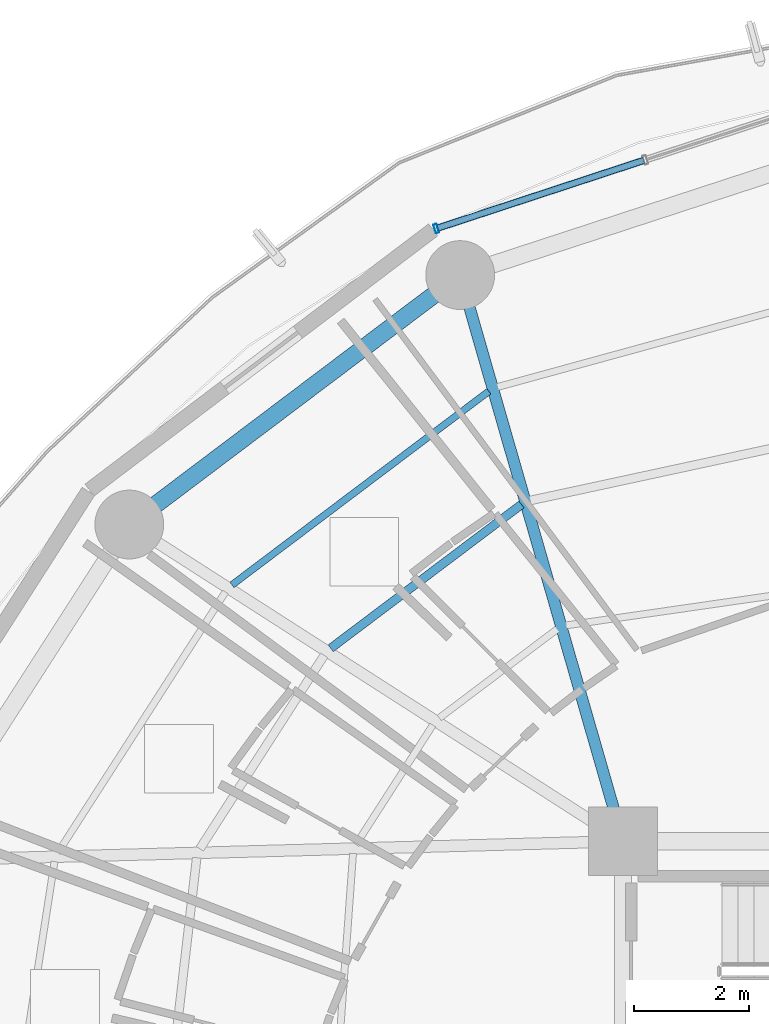
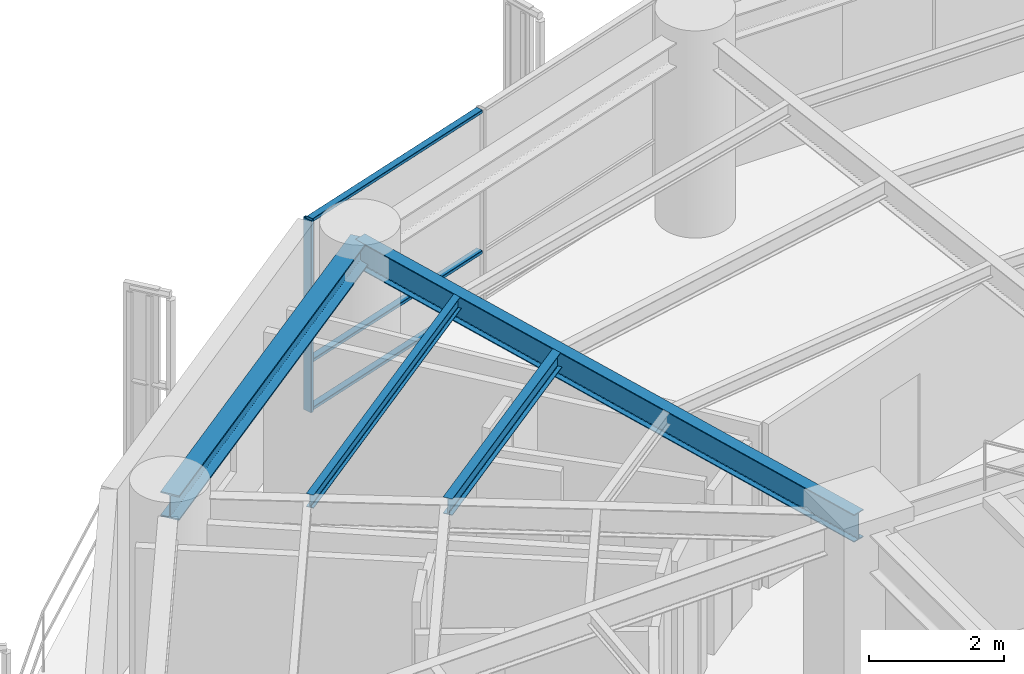
# One storey, part 16 of 27: 4 beams, 4 members, 1 element without a shape of its own.
"""IFC4 building model written with IfcOpenShell, lengths in metres."""

import ifcopenshell
import ifcopenshell.guid

model = None  # the IFC model being written
_history = None  # IfcOwnerHistory: only IFC2X3 demands one
_inside = {}  # id of a spatial element -> (the spatial element, [elements in it])
_under = {}  # id of a project, library or spatial element -> (it, [spatial elements below it])
_declared = {}  # id of a project -> (the project, [libraries it declares])
_typed = {}  # id of a type object -> (the type object, [elements of that type])
_made_of = {}  # id of a material, layer set ... -> (it, [elements and type objects made of it])


def new_model(schema):
    """Start an empty IFC model of exactly this schema.

    Asked for "IFC4X3", IfcOpenShell would pick the latest addendum, in which some entities
    have other attributes; the version numbers below select the first issue.
    IFC2X3 requires an IfcOwnerHistory on every rooted entity: one is made here for all.
    """
    global model, _history
    if schema == "IFC4X3":
        model = ifcopenshell.file(schema_version=(4, 3, 0, 0))
    else:
        model = ifcopenshell.file(schema=schema)
    _inside.clear()
    _under.clear()
    _declared.clear()
    _typed.clear()
    _made_of.clear()
    _history = None
    if model.schema == "IFC2X3":
        org = make("IfcOrganization", Name="unknown")
        user = make(
            "IfcPersonAndOrganization",
            ThePerson=make("IfcPerson", FamilyName="unknown"),
            TheOrganization=org,
        )
        app = make(
            "IfcApplication",
            ApplicationDeveloper=org,
            Version="unknown",
            ApplicationFullName="unknown",
            ApplicationIdentifier="unknown",
        )
        _history = make(
            "IfcOwnerHistory",
            OwningUser=user,
            OwningApplication=app,
            ChangeAction="ADDED",
            CreationDate=0,
        )
    return model


def make(cls, **values):
    """One entity of the class cls with the attributes given. An attribute that is None is left unset."""
    return model.create_entity(
        cls, **{name: value for name, value in values.items() if value is not None}
    )


def rooted(cls, **values):
    """An entity with a GlobalId (a new one), such as an element, a storey or a relation."""
    return make(cls, GlobalId=ifcopenshell.guid.new(), OwnerHistory=_history, **values)


def si_unit(unit_type, name, prefix=None):
    """IfcSIUnit, for example si_unit("LENGTHUNIT", "METRE", prefix="MILLI")."""
    return make("IfcSIUnit", UnitType=unit_type, Prefix=prefix, Name=name)


def assignment(units):
    """IfcUnitAssignment: the units of a project."""
    return None if units is None else make("IfcUnitAssignment", Units=units)


def point(xyz):
    """IfcCartesianPoint."""
    return None if xyz is None else make("IfcCartesianPoint", Coordinates=xyz)


def direction(xyz):
    """IfcDirection."""
    return None if xyz is None else make("IfcDirection", DirectionRatios=xyz)


def frame(location, z_axis=None, x_axis=None):
    """IfcAxis2Placement3D, a coordinate frame: its origin and axes. An axis left out is left unset."""
    return make(
        "IfcAxis2Placement3D",
        Location=point(location),
        Axis=direction(z_axis),
        RefDirection=direction(x_axis),
    )


def frame_2d(location, x_axis=None):
    """IfcAxis2Placement2D, a coordinate frame in the plane: its origin and x axis."""
    return make(
        "IfcAxis2Placement2D", Location=point(location), RefDirection=direction(x_axis)
    )


def origin():
    """The frame at (0, 0, 0) with its axes left unset."""
    return frame((0.0, 0.0, 0.0))


def origin_2d():
    """The frame at (0, 0) in the plane with its x axis left unset."""
    return frame_2d((0.0, 0.0))


def place(relative_to, where):
    """IfcLocalPlacement: puts the frame where relative to a parent placement (None: the world)."""
    return make(
        "IfcLocalPlacement", PlacementRelTo=relative_to, RelativePlacement=where
    )


def context(
    kind, dimensions, precision=None, world=None, true_north=None, identifier=None
):
    """IfcGeometricRepresentationContext, for example the 3D "Model" context."""
    return make(
        "IfcGeometricRepresentationContext",
        ContextIdentifier=identifier,
        ContextType=kind,
        CoordinateSpaceDimension=dimensions,
        Precision=precision,
        WorldCoordinateSystem=world,
        TrueNorth=true_north,
    )


def subcontext(parent, identifier, kind, view, scale=None):
    """IfcGeometricRepresentationSubContext, for example "Body" below "Model"."""
    return make(
        "IfcGeometricRepresentationSubContext",
        ContextIdentifier=identifier,
        ContextType=kind,
        ParentContext=parent,
        TargetScale=scale,
        TargetView=view,
    )


def project(units=None, contexts=None):
    """IfcProject with its units and contexts."""
    return rooted(
        "IfcProject",
        Name="project",
        RepresentationContexts=contexts,
        UnitsInContext=assignment(units),
    )


def spatial(cls, under=None, at=None, **own):
    """A site, building, storey or space (cls), placed at a placement, below another one or the project."""
    s = rooted(cls, ObjectPlacement=at, **own)
    if under is not None:
        _under.setdefault(under.id(), (under, []))[1].append(s)
    return s


def profile(cls, at=None, kind="AREA", **sizes):
    """A parametric profile (cls). Its sizes go by their IFC names, for example OverallWidth=200.0."""
    return make(cls, ProfileType=kind, Position=at, **sizes)


def hollow_rectangle(**sizes):
    """IfcRectangleHollowProfileDef."""
    return profile("IfcRectangleHollowProfileDef", **sizes)


def i_section(**sizes):
    """IfcIShapeProfileDef."""
    return profile("IfcIShapeProfileDef", **sizes)


def extrude(swept, where, along, depth):
    """IfcExtrudedAreaSolid: the profile swept, set in the frame where, extruded along a direction by depth."""
    return make(
        "IfcExtrudedAreaSolid",
        SweptArea=swept,
        Position=where,
        ExtrudedDirection=direction(along),
        Depth=depth,
    )


def shape(context_of_items, identifier, shape_type, items):
    """IfcShapeRepresentation: the items that make up one representation, for example the "Body"."""
    return make(
        "IfcShapeRepresentation",
        ContextOfItems=context_of_items,
        RepresentationIdentifier=identifier,
        RepresentationType=shape_type,
        Items=items,
    )


def material(Name=None, Category=None):
    """IfcMaterial."""
    return make("IfcMaterial", Name=Name, Category=Category)


def layer(
    of_material, thickness, ventilated=None, Name=None, Category=None, Priority=None
):
    """IfcMaterialLayer: one layer of a wall or slab, of a material (None: an air gap)."""
    return make(
        "IfcMaterialLayer",
        Material=of_material,
        LayerThickness=thickness,
        IsVentilated=ventilated,
        Name=Name,
        Category=Category,
        Priority=Priority,
    )


def layer_set(layers, Name=None):
    """IfcMaterialLayerSet."""
    return make("IfcMaterialLayerSet", MaterialLayers=layers, LayerSetName=Name)


def material_profile(
    of_material, cross_section, Name=None, Category=None, Priority=None
):
    """IfcMaterialProfile: a cross section and its material."""
    return make(
        "IfcMaterialProfile",
        Name=Name,
        Material=of_material,
        Profile=cross_section,
        Priority=Priority,
        Category=Category,
    )


def profile_set(profiles, Name=None, composite=None):
    """IfcMaterialProfileSet."""
    return make(
        "IfcMaterialProfileSet",
        Name=Name,
        MaterialProfiles=profiles,
        CompositeProfile=composite,
    )


def made_of(thing, what):
    """Note that an element or type object is made of a material, layer set ...; save() writes the relation."""
    if what is not None:
        _made_of.setdefault(what.id(), (what, []))[1].append(thing)
    return thing


def type_object(cls, material=None, **own):
    """A type object (cls), such as IfcWallType, which elements share."""
    return made_of(rooted(cls, **own), material)


def element(
    cls,
    number,
    at=None,
    inside=None,
    cuts=None,
    type_object=None,
    material=None,
    context=None,
    identifier="Body",
    shape_type=None,
    held_by="IfcProductDefinitionShape",
    body=None,
    shapes=None,
    **own,
):
    """One element of the class cls, such as IfcWall. Its Tag is "e" and its number.

    at: its placement. inside: the storey or other place that contains it. cuts: it is an
    opening in that element (IfcRelVoidsElement). A single representation is given by context,
    identifier, shape_type and body (its items); several are given by shapes. held_by: the class
    of the entity that holds the representations. save() writes the other relations.
    """
    e = rooted(cls, Tag="e%d" % number, ObjectPlacement=at, **own)
    if body is not None:
        shapes = [shape(context, identifier, shape_type, body)]
    if shapes is not None:
        e.Representation = make(held_by, Representations=shapes)
    if inside is not None:
        _inside.setdefault(inside.id(), (inside, []))[1].append(e)
    if cuts is not None:
        rooted(
            "IfcRelVoidsElement", RelatingBuildingElement=cuts, RelatedOpeningElement=e
        )
    if type_object is not None:
        _typed.setdefault(type_object.id(), (type_object, []))[1].append(e)
    return made_of(e, material)


def aggregate(whole, parts):
    """IfcRelAggregates: a whole, such as a stair, and the parts it consists of."""
    return rooted("IfcRelAggregates", RelatingObject=whole, RelatedObjects=parts)


def save(model, path):
    """Write the relations noted so far, then the file.

    IfcRelAggregates (storeys below a building ...), IfcRelContainedInSpatialStructure (elements
    in a storey), IfcRelDefinesByType, IfcRelAssociatesMaterial and IfcRelDeclares: one each for
    every whole, place, type object, material and project.
    """
    for whole, parts in _under.values():
        aggregate(whole, parts)
    for where, things in _inside.values():
        rooted(
            "IfcRelContainedInSpatialStructure",
            RelatedElements=things,
            RelatingStructure=where,
        )
    for kind, things in _typed.values():
        rooted("IfcRelDefinesByType", RelatedObjects=things, RelatingType=kind)
    for what, things in _made_of.values():
        rooted("IfcRelAssociatesMaterial", RelatedObjects=things, RelatingMaterial=what)
    for by, libraries in _declared.values():
        rooted("IfcRelDeclares", RelatingContext=by, RelatedDefinitions=libraries)
    model.write(path)


model = new_model("IFC4")

# Units and contexts
model_context = context("Model", 3, precision=1e-05, world=origin(), true_north=direction((0.0, 1.0)))
body_context = subcontext(model_context, "Body", "Model", "MODEL_VIEW")
ifc_project = project(units=[si_unit("LENGTHUNIT", "METRE"), si_unit("AREAUNIT", "SQUARE_METRE"), si_unit("VOLUMEUNIT", "CUBIC_METRE"), si_unit("PLANEANGLEUNIT", "RADIAN"), si_unit("MASSUNIT", "GRAM", prefix="KILO")], contexts=[model_context])

# Site, building, storey
site_placement = place(None, origin())
site = spatial("IfcSite", under=ifc_project, at=site_placement, CompositionType="ELEMENT")
building_placement = place(site_placement, origin())
building = spatial("IfcBuilding", under=site, at=building_placement, Name="Kelanora Arch Commons", CompositionType="ELEMENT")
storey_placement = place(building_placement, frame((0.0, 0.0, 173.10009765625)))
storey = spatial("IfcBuildingStorey", under=building, at=storey_placement, Name="L44", CompositionType="ELEMENT", Elevation=173.10009765625)

# Beams
ifc_material_1 = material(Name="Steel S355", Category="steel")
ifc_material_profile_1 = material_profile(ifc_material_1, i_section(OverallWidth=0.14990234375, OverallDepth=0.300048828125, WebThickness=0.007080078125, FlangeThickness=0.0107421875, FilletRadius=0.014892578125, at=origin_2d()), Name="IPE300")
ifc_profile_set_1 = profile_set([ifc_material_profile_1], Name="Steel S355")
beam_type_1 = type_object("IfcBeamType", Name="BM-JST-01", PredefinedType="JOIST", material=ifc_profile_set_1)
beam_1_placement = place(storey_placement, frame((64.22802734375, 70.870849609375, 3.33984375), z_axis=(-0.798463547891, -0.602043156833, 0.0), x_axis=(0.602043156833, -0.798463547891, 0.0)))
element("IfcBeam", 1, at=beam_1_placement, inside=storey, type_object=beam_type_1, Name="Secondary Chord Joist BJB-12 L44", PredefinedType="JOIST", context=body_context, shape_type="SweptSolid", body=[
    extrude(i_section(OverallWidth=0.14990234375, OverallDepth=0.300048828125, WebThickness=0.007080078125, FlangeThickness=0.0107421875, FilletRadius=0.014892578125, at=origin_2d()), origin(), (0.0, 0.0, 1.0), 4.163818359375),
])
ifc_material_profile_2 = material_profile(ifc_material_1, i_section(OverallWidth=0.1201171875, OverallDepth=0.239990234375, WebThickness=0.006103515625, FlangeThickness=0.009765625, FilletRadius=0.014892578125, at=origin_2d()), Name="IPE240")
ifc_profile_set_2 = profile_set([ifc_material_profile_2], Name="Steel S355")
beam_type_2 = type_object("IfcBeamType", Name="BM-JST-02", PredefinedType="JOIST", material=ifc_profile_set_2)
beam_2_placement = place(storey_placement, frame((63.66015625, 72.844970703125, 3.369873046875), z_axis=(-0.798493128577, -0.602003923256, 0.0), x_axis=(0.602003923256, -0.798493128577, 0.0)))
element("IfcBeam", 2, at=beam_2_placement, inside=storey, type_object=beam_type_2, Name="Secondary Chord Joist BJC-12 L44", PredefinedType="JOIST", context=body_context, shape_type="SweptSolid", body=[
    extrude(i_section(OverallWidth=0.1201171875, OverallDepth=0.239990234375, WebThickness=0.006103515625, FlangeThickness=0.009765625, FilletRadius=0.014892578125, at=origin_2d()), origin(), (0.0, 0.0, 1.0), 5.608642578125),
])
ifc_material_profile_3 = material_profile(ifc_material_1, i_section(OverallWidth=0.199951171875, OverallDepth=0.5, WebThickness=0.01025390625, FlangeThickness=0.01611328125, FilletRadius=0.02099609375, at=origin_2d()), Name="IPE500")
ifc_profile_set_3 = profile_set([ifc_material_profile_3], Name="Steel S355")
beam_type_3 = type_object("IfcBeamType", Name="BM-RAD-Z3", PredefinedType="BEAM", material=ifc_profile_set_3)
beam_3_placement = place(storey_placement, frame((66.0, 65.0, 3.239990234375), z_axis=(-0.276525880065, 0.961006471182, 0.0), x_axis=(-0.961006471182, -0.276525880065, 0.0)))
element("IfcBeam", 3, at=beam_3_placement, inside=storey, type_object=beam_type_3, Name="Radial Floor Girder BR-12 L44", PredefinedType="BEAM", context=body_context, shape_type="SweptSolid", body=[
    extrude(i_section(OverallWidth=0.199951171875, OverallDepth=0.5, WebThickness=0.01025390625, FlangeThickness=0.01611328125, FilletRadius=0.02099609375, at=origin_2d()), origin(), (0.0, 0.0, 1.0), 10.2705078125),
])
ifc_material_profile_4 = material_profile(ifc_material_1, i_section(OverallWidth=0.300048828125, OverallDepth=0.449951171875, WebThickness=0.013916015625, FlangeThickness=0.02587890625, FilletRadius=0.027099609375, at=origin_2d()), Name="HEB450")
ifc_profile_set_4 = profile_set([ifc_material_profile_4], Name="Steel S355")
beam_type_4 = type_object("IfcBeamType", Name="BM-SPN-Z3", PredefinedType="SPANDREL", material=ifc_profile_set_4)
beam_4_placement = place(storey_placement, frame((63.159912109375, 74.8701171875, 3.264892578125), z_axis=(-0.798484645564, -0.60201517489, 0.0), x_axis=(0.60201517489, -0.798484645564, 0.0)))
element("IfcBeam", 4, at=beam_4_placement, inside=storey, type_object=beam_type_4, Name="Perimeter Spandrel Beam BS-12 L44", PredefinedType="SPANDREL", context=body_context, shape_type="SweptSolid", body=[
    extrude(i_section(OverallWidth=0.300048828125, OverallDepth=0.449951171875, WebThickness=0.013916015625, FlangeThickness=0.02587890625, FilletRadius=0.027099609375, at=origin_2d()), origin(), (0.0, 0.0, 1.0), 7.223388671875),
])

# Curtain wall, members
ifc_material_2 = material(Name="Terracotta ceramic-fritted low-E glass and aluminium", Category="masonry")
ifc_layer = layer(ifc_material_2, 0.175048828125)
ifc_layer_set = layer_set([ifc_layer], Name="Terracotta ceramic-fritted low-E glass and aluminium")
curtain_wall_type = type_object("IfcCurtainWallType", Name="CW-SYS-02", PredefinedType="NOTDEFINED", material=ifc_layer_set)
curtain_wall_placement = place(storey_placement, origin())
curtain_wall = element("IfcCurtainWall", 5, at=curtain_wall_placement, inside=storey, type_object=curtain_wall_type, Name="Unitised Curtain Wall L44-B05", PredefinedType="NOTDEFINED")
ifc_material_3 = material(Name="Powder-coated aluminium terracotta", Category="masonry")
ifc_material_profile_5 = material_profile(ifc_material_3, hollow_rectangle(XDim=0.159912109375, YDim=0.06005859375, WallThickness=0.0048828125, InnerFilletRadius=0.0048828125, OuterFilletRadius=0.010009765625, at=origin_2d()), Name="CWM160x60")
ifc_profile_set_5 = profile_set([ifc_material_profile_5], Name="Powder-coated aluminium terracotta")
member_type_1 = type_object("IfcMemberType", Name="CWM-STD", PredefinedType="MULLION", material=ifc_profile_set_5)
member_1_placement = place(storey_placement, frame((62.742919921875, 75.680908203125, 0.0), z_axis=(0.0, 0.0, 1.0), x_axis=(0.312128279571, -0.95003996605, 0.0)))
member_1 = element("IfcMember", 6, at=member_1_placement, type_object=member_type_1, Name="CW-02 mullion 3", PredefinedType="MULLION", context=body_context, shape_type="SweptSolid", body=[
    extrude(hollow_rectangle(XDim=0.159912109375, YDim=0.06005859375, WallThickness=0.0048828125, InnerFilletRadius=0.0048828125, OuterFilletRadius=0.010009765625, at=origin_2d()), origin(), (0.0, 0.0, 1.0), 3.474853515625),
])
ifc_material_profile_6 = material_profile(ifc_material_3, hollow_rectangle(XDim=0.1201171875, YDim=0.06005859375, WallThickness=0.0048828125, InnerFilletRadius=0.0048828125, OuterFilletRadius=0.010009765625, at=origin_2d()), Name="CWT120x60")
ifc_profile_set_6 = profile_set([ifc_material_profile_6], Name="Powder-coated aluminium terracotta")
member_type_2 = type_object("IfcMemberType", Name="CWT-STD", PredefinedType="USERDEFINED", material=ifc_profile_set_6)
member_2_placement = place(storey_placement, frame((66.359375, 76.869140625, 0.02978515625), z_axis=(-0.950051191155, -0.312094111104, 0.0), x_axis=(0.312094111104, -0.950051191155, 0.0)))
member_2 = element("IfcMember", 7, at=member_2_placement, type_object=member_type_2, Name="CW-02 transom 2.1", ObjectType="TRANSOM", PredefinedType="USERDEFINED", context=body_context, shape_type="SweptSolid", body=[
    extrude(hollow_rectangle(XDim=0.1201171875, YDim=0.06005859375, WallThickness=0.0048828125, InnerFilletRadius=0.0048828125, OuterFilletRadius=0.010009765625, at=origin_2d()), origin(), (0.0, 0.0, 1.0), 3.77685546875),
])
member_3_placement = place(storey_placement, frame((66.359375, 76.869140625, 0.89990234375), z_axis=(-0.950051191155, -0.312094111104, 0.0), x_axis=(0.312094111104, -0.950051191155, 0.0)))
member_3 = element("IfcMember", 8, at=member_3_placement, type_object=member_type_2, Name="CW-02 transom 2.2", ObjectType="TRANSOM", PredefinedType="USERDEFINED", context=body_context, shape_type="SweptSolid", body=[
    extrude(hollow_rectangle(XDim=0.1201171875, YDim=0.06005859375, WallThickness=0.0048828125, InnerFilletRadius=0.0048828125, OuterFilletRadius=0.010009765625, at=origin_2d()), origin(), (0.0, 0.0, 1.0), 3.77685546875),
])
member_4_placement = place(storey_placement, frame((66.359375, 76.869140625, 3.44482421875), z_axis=(-0.950051191155, -0.312094111104, 0.0), x_axis=(0.312094111104, -0.950051191155, 0.0)))
member_4 = element("IfcMember", 9, at=member_4_placement, type_object=member_type_2, Name="CW-02 transom 2.3", ObjectType="TRANSOM", PredefinedType="USERDEFINED", context=body_context, shape_type="SweptSolid", body=[
    extrude(hollow_rectangle(XDim=0.1201171875, YDim=0.06005859375, WallThickness=0.0048828125, InnerFilletRadius=0.0048828125, OuterFilletRadius=0.010009765625, at=origin_2d()), origin(), (0.0, 0.0, 1.0), 3.77685546875),
])
aggregate(curtain_wall, [member_1, member_2, member_3, member_4])

save(model, "model.ifc")
